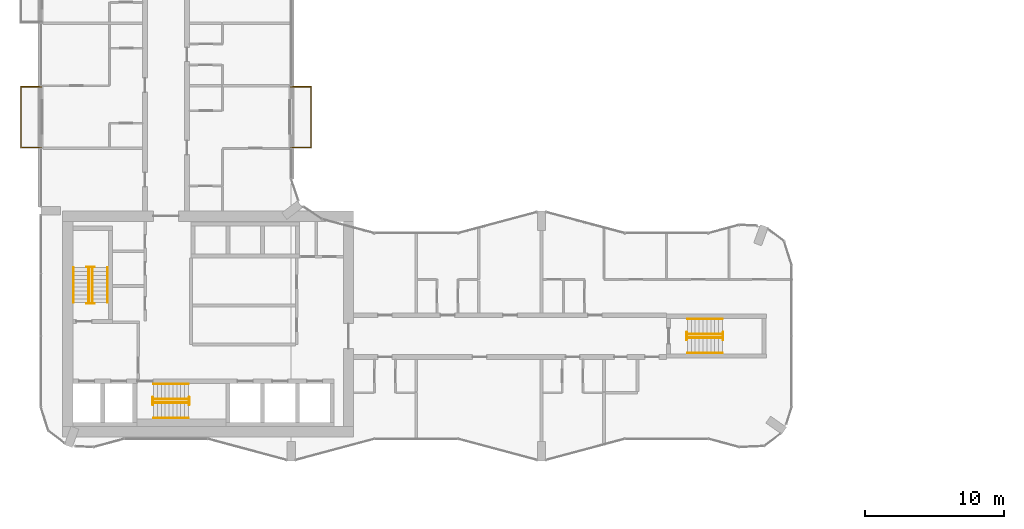
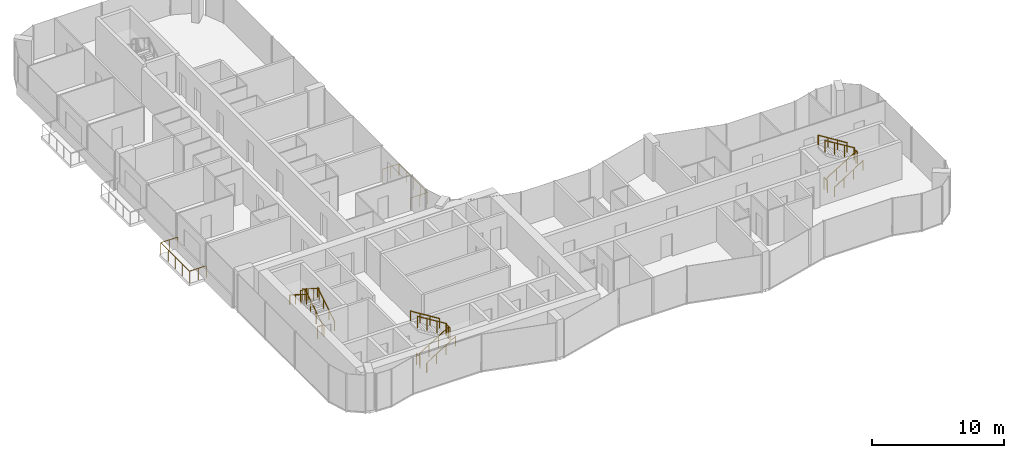
# One storey, part 20 of 22: 20 railings.
"""IFC4 building model written with IfcOpenShell, lengths in metres."""

import ifcopenshell
import ifcopenshell.guid

model = None  # the IFC model being written
_history = None  # IfcOwnerHistory: only IFC2X3 demands one
_inside = {}  # id of a spatial element -> (the spatial element, [elements in it])
_under = {}  # id of a project, library or spatial element -> (it, [spatial elements below it])
_declared = {}  # id of a project -> (the project, [libraries it declares])
_typed = {}  # id of a type object -> (the type object, [elements of that type])
_made_of = {}  # id of a material, layer set ... -> (it, [elements and type objects made of it])


def new_model(schema):
    """Start an empty IFC model of exactly this schema.

    Asked for "IFC4X3", IfcOpenShell would pick the latest addendum, in which some entities
    have other attributes; the version numbers below select the first issue.
    IFC2X3 requires an IfcOwnerHistory on every rooted entity: one is made here for all.
    """
    global model, _history
    if schema == "IFC4X3":
        model = ifcopenshell.file(schema_version=(4, 3, 0, 0))
    else:
        model = ifcopenshell.file(schema=schema)
    _inside.clear()
    _under.clear()
    _declared.clear()
    _typed.clear()
    _made_of.clear()
    _history = None
    if model.schema == "IFC2X3":
        org = make("IfcOrganization", Name="unknown")
        user = make(
            "IfcPersonAndOrganization",
            ThePerson=make("IfcPerson", FamilyName="unknown"),
            TheOrganization=org,
        )
        app = make(
            "IfcApplication",
            ApplicationDeveloper=org,
            Version="unknown",
            ApplicationFullName="unknown",
            ApplicationIdentifier="unknown",
        )
        _history = make(
            "IfcOwnerHistory",
            OwningUser=user,
            OwningApplication=app,
            ChangeAction="ADDED",
            CreationDate=0,
        )
    return model


def make(cls, **values):
    """One entity of the class cls with the attributes given. An attribute that is None is left unset."""
    return model.create_entity(
        cls, **{name: value for name, value in values.items() if value is not None}
    )


def rooted(cls, **values):
    """An entity with a GlobalId (a new one), such as an element, a storey or a relation."""
    return make(cls, GlobalId=ifcopenshell.guid.new(), OwnerHistory=_history, **values)


def si_unit(unit_type, name, prefix=None):
    """IfcSIUnit, for example si_unit("LENGTHUNIT", "METRE", prefix="MILLI")."""
    return make("IfcSIUnit", UnitType=unit_type, Prefix=prefix, Name=name)


def assignment(units):
    """IfcUnitAssignment: the units of a project."""
    return None if units is None else make("IfcUnitAssignment", Units=units)


def point(xyz):
    """IfcCartesianPoint."""
    return None if xyz is None else make("IfcCartesianPoint", Coordinates=xyz)


def direction(xyz):
    """IfcDirection."""
    return None if xyz is None else make("IfcDirection", DirectionRatios=xyz)


def frame(location, z_axis=None, x_axis=None):
    """IfcAxis2Placement3D, a coordinate frame: its origin and axes. An axis left out is left unset."""
    return make(
        "IfcAxis2Placement3D",
        Location=point(location),
        Axis=direction(z_axis),
        RefDirection=direction(x_axis),
    )


def frame_2d(location, x_axis=None):
    """IfcAxis2Placement2D, a coordinate frame in the plane: its origin and x axis."""
    return make(
        "IfcAxis2Placement2D", Location=point(location), RefDirection=direction(x_axis)
    )


def origin():
    """The frame at (0, 0, 0) with its axes left unset."""
    return frame((0.0, 0.0, 0.0))


def origin_2d():
    """The frame at (0, 0) in the plane with its x axis left unset."""
    return frame_2d((0.0, 0.0))


def place(relative_to, where):
    """IfcLocalPlacement: puts the frame where relative to a parent placement (None: the world)."""
    return make(
        "IfcLocalPlacement", PlacementRelTo=relative_to, RelativePlacement=where
    )


def context(
    kind, dimensions, precision=None, world=None, true_north=None, identifier=None
):
    """IfcGeometricRepresentationContext, for example the 3D "Model" context."""
    return make(
        "IfcGeometricRepresentationContext",
        ContextIdentifier=identifier,
        ContextType=kind,
        CoordinateSpaceDimension=dimensions,
        Precision=precision,
        WorldCoordinateSystem=world,
        TrueNorth=true_north,
    )


def subcontext(parent, identifier, kind, view, scale=None):
    """IfcGeometricRepresentationSubContext, for example "Body" below "Model"."""
    return make(
        "IfcGeometricRepresentationSubContext",
        ContextIdentifier=identifier,
        ContextType=kind,
        ParentContext=parent,
        TargetScale=scale,
        TargetView=view,
    )


def project(units=None, contexts=None):
    """IfcProject with its units and contexts."""
    return rooted(
        "IfcProject",
        Name="project",
        RepresentationContexts=contexts,
        UnitsInContext=assignment(units),
    )


def spatial(cls, under=None, at=None, **own):
    """A site, building, storey or space (cls), placed at a placement, below another one or the project."""
    s = rooted(cls, ObjectPlacement=at, **own)
    if under is not None:
        _under.setdefault(under.id(), (under, []))[1].append(s)
    return s


def profile(cls, at=None, kind="AREA", **sizes):
    """A parametric profile (cls). Its sizes go by their IFC names, for example OverallWidth=200.0."""
    return make(cls, ProfileType=kind, Position=at, **sizes)


def circle(**sizes):
    """IfcCircleProfileDef."""
    return profile("IfcCircleProfileDef", **sizes)


def extrude(swept, where, along, depth):
    """IfcExtrudedAreaSolid: the profile swept, set in the frame where, extruded along a direction by depth."""
    return make(
        "IfcExtrudedAreaSolid",
        SweptArea=swept,
        Position=where,
        ExtrudedDirection=direction(along),
        Depth=depth,
    )


def shape(context_of_items, identifier, shape_type, items):
    """IfcShapeRepresentation: the items that make up one representation, for example the "Body"."""
    return make(
        "IfcShapeRepresentation",
        ContextOfItems=context_of_items,
        RepresentationIdentifier=identifier,
        RepresentationType=shape_type,
        Items=items,
    )


def material(Name=None, Category=None):
    """IfcMaterial."""
    return make("IfcMaterial", Name=Name, Category=Category)


def made_of(thing, what):
    """Note that an element or type object is made of a material, layer set ...; save() writes the relation."""
    if what is not None:
        _made_of.setdefault(what.id(), (what, []))[1].append(thing)
    return thing


def type_object(cls, material=None, **own):
    """A type object (cls), such as IfcWallType, which elements share."""
    return made_of(rooted(cls, **own), material)


def element(
    cls,
    number,
    at=None,
    inside=None,
    cuts=None,
    type_object=None,
    material=None,
    context=None,
    identifier="Body",
    shape_type=None,
    held_by="IfcProductDefinitionShape",
    body=None,
    shapes=None,
    **own,
):
    """One element of the class cls, such as IfcWall. Its Tag is "e" and its number.

    at: its placement. inside: the storey or other place that contains it. cuts: it is an
    opening in that element (IfcRelVoidsElement). A single representation is given by context,
    identifier, shape_type and body (its items); several are given by shapes. held_by: the class
    of the entity that holds the representations. save() writes the other relations.
    """
    e = rooted(cls, Tag="e%d" % number, ObjectPlacement=at, **own)
    if body is not None:
        shapes = [shape(context, identifier, shape_type, body)]
    if shapes is not None:
        e.Representation = make(held_by, Representations=shapes)
    if inside is not None:
        _inside.setdefault(inside.id(), (inside, []))[1].append(e)
    if cuts is not None:
        rooted(
            "IfcRelVoidsElement", RelatingBuildingElement=cuts, RelatedOpeningElement=e
        )
    if type_object is not None:
        _typed.setdefault(type_object.id(), (type_object, []))[1].append(e)
    return made_of(e, material)


def aggregate(whole, parts):
    """IfcRelAggregates: a whole, such as a stair, and the parts it consists of."""
    return rooted("IfcRelAggregates", RelatingObject=whole, RelatedObjects=parts)


def save(model, path):
    """Write the relations noted so far, then the file.

    IfcRelAggregates (storeys below a building ...), IfcRelContainedInSpatialStructure (elements
    in a storey), IfcRelDefinesByType, IfcRelAssociatesMaterial and IfcRelDeclares: one each for
    every whole, place, type object, material and project.
    """
    for whole, parts in _under.values():
        aggregate(whole, parts)
    for where, things in _inside.values():
        rooted(
            "IfcRelContainedInSpatialStructure",
            RelatedElements=things,
            RelatingStructure=where,
        )
    for kind, things in _typed.values():
        rooted("IfcRelDefinesByType", RelatedObjects=things, RelatingType=kind)
    for what, things in _made_of.values():
        rooted("IfcRelAssociatesMaterial", RelatedObjects=things, RelatingMaterial=what)
    for by, libraries in _declared.values():
        rooted("IfcRelDeclares", RelatingContext=by, RelatedDefinitions=libraries)
    model.write(path)


model = new_model("IFC4")

# Units and contexts
model_context = context("Model", 3, precision=1e-05, world=origin(), true_north=direction((0.0, 1.0)))
body_context = subcontext(model_context, "Body", "Model", "MODEL_VIEW")
ifc_project = project(units=[si_unit("LENGTHUNIT", "METRE"), si_unit("AREAUNIT", "SQUARE_METRE"), si_unit("VOLUMEUNIT", "CUBIC_METRE"), si_unit("PLANEANGLEUNIT", "RADIAN"), si_unit("MASSUNIT", "GRAM", prefix="KILO")], contexts=[model_context])

# Site, building, storey
site_placement = place(None, origin())
site = spatial("IfcSite", under=ifc_project, at=site_placement, CompositionType="ELEMENT")
building_placement = place(site_placement, origin())
building = spatial("IfcBuilding", under=site, at=building_placement, Name="Plateau Cross Towers", CompositionType="ELEMENT")
storey_placement = place(building_placement, frame((0.0, 0.0, 58.300048828125)))
storey = spatial("IfcBuildingStorey", under=building, at=storey_placement, Name="L14", CompositionType="ELEMENT", Elevation=58.300048828125)

# Railings
ifc_material_1 = material(Name="Stainless steel and toughened glass", Category="steel")
railing_type_1 = type_object("IfcRailingType", Name="Glass balustrade guard 1100", PredefinedType="GUARDRAIL", material=ifc_material_1)
railing_1_placement = place(storey_placement, frame((0.050048828125, 22.570068359375, 0.0)))
element("IfcRailing", 1, at=railing_1_placement, inside=storey, type_object=railing_type_1, Name="Guard guard1", PredefinedType="GUARDRAIL", context=body_context, shape_type="SweptSolid", body=[
    extrude(circle(Radius=0.02392578125, at=origin_2d()), frame((0.0, 0.0, 1.076171875), z_axis=(-1.0, 0.0, 0.0), x_axis=(0.0, -1.0, 0.0)), (0.0, 0.0, 1.0), 1.47998046875),
    extrude(circle(Radius=0.02392578125, at=origin_2d()), frame((-1.47998046875, 0.0, 1.076171875), z_axis=(0.0, 1.0, 0.0), x_axis=(-1.0, 0.0, 0.0)), (0.0, 0.0, 1.0), 4.35986328125),
    extrude(circle(Radius=0.02392578125, at=origin_2d()), frame((-1.47998046875, 4.35986328125, 1.076171875), z_axis=(1.0, 0.0, 0.0), x_axis=(0.0, 1.0, 0.0)), (0.0, 0.0, 1.0), 1.47998046875),
    extrude(circle(Radius=0.02099609375, at=origin_2d()), origin(), (0.0, 0.0, 1.0), 1.052001953125),
    extrude(circle(Radius=0.02099609375, at=origin_2d()), frame((-0.739990234375, 0.0, 0.0)), (0.0, 0.0, 1.0), 1.052001953125),
    extrude(circle(Radius=0.02099609375, at=origin_2d()), frame((-1.47998046875, 0.0, 0.0)), (0.0, 0.0, 1.0), 1.052001953125),
    extrude(circle(Radius=0.02099609375, at=origin_2d()), frame((-1.47998046875, 1.08984375, 0.0)), (0.0, 0.0, 1.0), 1.052001953125),
    extrude(circle(Radius=0.02099609375, at=origin_2d()), frame((-1.47998046875, 2.179931640625, 0.0)), (0.0, 0.0, 1.0), 1.052001953125),
    extrude(circle(Radius=0.02099609375, at=origin_2d()), frame((-1.47998046875, 3.27001953125, 0.0)), (0.0, 0.0, 1.0), 1.052001953125),
    extrude(circle(Radius=0.02099609375, at=origin_2d()), frame((-1.47998046875, 4.35986328125, 0.0)), (0.0, 0.0, 1.0), 1.052001953125),
    extrude(circle(Radius=0.02099609375, at=origin_2d()), frame((-0.739990234375, 4.35986328125, 0.0)), (0.0, 0.0, 1.0), 1.052001953125),
    extrude(circle(Radius=0.02099609375, at=origin_2d()), frame((0.0, 4.35986328125, 0.0)), (0.0, 0.0, 1.0), 1.052001953125),
])
railing_2_placement = place(storey_placement, frame((17.949951171875, 26.929931640625, 0.0)))
element("IfcRailing", 2, at=railing_2_placement, inside=storey, type_object=railing_type_1, Name="Guard guard1", PredefinedType="GUARDRAIL", context=body_context, shape_type="SweptSolid", body=[
    extrude(circle(Radius=0.02392578125, at=origin_2d()), frame((0.0, 0.0, 1.076171875), z_axis=(1.0, 0.0, 0.0), x_axis=(0.0, 1.0, 0.0)), (0.0, 0.0, 1.0), 1.47998046875),
    extrude(circle(Radius=0.02392578125, at=origin_2d()), frame((1.47998046875, 0.0, 1.076171875), z_axis=(0.0, -1.0, 0.0), x_axis=(1.0, 0.0, 0.0)), (0.0, 0.0, 1.0), 4.35986328125),
    extrude(circle(Radius=0.02392578125, at=origin_2d()), frame((1.47998046875, -4.35986328125, 1.076171875), z_axis=(-1.0, 0.0, 0.0), x_axis=(0.0, -1.0, 0.0)), (0.0, 0.0, 1.0), 1.47998046875),
    extrude(circle(Radius=0.02099609375, at=origin_2d()), origin(), (0.0, 0.0, 1.0), 1.052001953125),
    extrude(circle(Radius=0.02099609375, at=origin_2d()), frame((0.739990234375, 0.0, 0.0)), (0.0, 0.0, 1.0), 1.052001953125),
    extrude(circle(Radius=0.02099609375, at=origin_2d()), frame((1.47998046875, 0.0, 0.0)), (0.0, 0.0, 1.0), 1.052001953125),
    extrude(circle(Radius=0.02099609375, at=origin_2d()), frame((1.47998046875, -1.08984375, 0.0)), (0.0, 0.0, 1.0), 1.052001953125),
    extrude(circle(Radius=0.02099609375, at=origin_2d()), frame((1.47998046875, -2.179931640625, 0.0)), (0.0, 0.0, 1.0), 1.052001953125),
    extrude(circle(Radius=0.02099609375, at=origin_2d()), frame((1.47998046875, -3.27001953125, 0.0)), (0.0, 0.0, 1.0), 1.052001953125),
    extrude(circle(Radius=0.02099609375, at=origin_2d()), frame((1.47998046875, -4.35986328125, 0.0)), (0.0, 0.0, 1.0), 1.052001953125),
    extrude(circle(Radius=0.02099609375, at=origin_2d()), frame((0.739990234375, -4.35986328125, 0.0)), (0.0, 0.0, 1.0), 1.052001953125),
    extrude(circle(Radius=0.02099609375, at=origin_2d()), frame((0.0, -4.35986328125, 0.0)), (0.0, 0.0, 1.0), 1.052001953125),
])
railing_type_2 = type_object("IfcRailingType", Name="RL-GUARD-1100", PredefinedType="GUARDRAIL", material=ifc_material_1)
railing_3_placement = place(storey_placement, frame((3.699951171875, 11.39990234375, 0.175048828125)))
element("IfcRailing", 3, at=railing_3_placement, inside=storey, type_object=railing_type_2, Name="L14 ST-1 stair guard 1", PredefinedType="GUARDRAIL", context=body_context, shape_type="SweptSolid", body=[
    extrude(circle(Radius=0.02392578125, at=origin_2d()), frame((0.0, 0.0, 1.076171875), z_axis=(0.0, 0.848007534815, 0.529984170421), x_axis=(-1.0, 0.0, 0.0)), (0.0, 0.0, 1.0), 2.9716796875),
    extrude(circle(Radius=0.02099609375, at=origin_2d()), origin(), (0.0, 0.0, 1.0), 1.052001953125),
    extrude(circle(Radius=0.02099609375, at=origin_2d()), frame((0.0, 0.840087890625, 0.52490234375)), (0.0, 0.0, 1.0), 1.052001953125),
    extrude(circle(Radius=0.02099609375, at=origin_2d()), frame((0.0, 1.679931640625, 1.050048828125)), (0.0, 0.0, 1.0), 1.052001953125),
    extrude(circle(Radius=0.02099609375, at=origin_2d()), frame((0.0, 2.52001953125, 1.574951171875)), (0.0, 0.0, 1.0), 1.052001953125),
])
railing_4_placement = place(storey_placement, frame((3.85009765625, 13.969970703125, 1.75)))
element("IfcRailing", 4, at=railing_4_placement, inside=storey, type_object=railing_type_2, Name="L14 ST-1 stair guard 2", PredefinedType="GUARDRAIL", context=body_context, shape_type="SweptSolid", body=[
    extrude(circle(Radius=0.02392578125, at=origin_2d()), frame((0.0, 0.0, 1.076171875), z_axis=(-1.0, 0.0, 0.0), x_axis=(0.0, -1.0, 0.0)), (0.0, 0.0, 1.0), 0.550048828125),
    extrude(circle(Radius=0.02099609375, at=origin_2d()), origin(), (0.0, 0.0, 1.0), 1.052001953125),
    extrude(circle(Radius=0.02099609375, at=origin_2d()), frame((-0.550048828125, 0.0, 0.0)), (0.0, 0.0, 1.0), 1.052001953125),
])
railing_5_placement = place(storey_placement, frame((3.449951171875, 13.919921875, 1.925048828125)))
element("IfcRailing", 5, at=railing_5_placement, inside=storey, type_object=railing_type_2, Name="L14 ST-1 stair guard 3", PredefinedType="GUARDRAIL", context=body_context, shape_type="SweptSolid", body=[
    extrude(circle(Radius=0.02392578125, at=origin_2d()), frame((0.0, 0.0, 1.076171875), z_axis=(0.0, -0.852616386126, 0.522537365276), x_axis=(1.0, 0.0, 0.0)), (0.0, 0.0, 1.0), 3.01416015625),
    extrude(circle(Radius=0.02099609375, at=origin_2d()), origin(), (0.0, 0.0, 1.0), 1.052001953125),
    extrude(circle(Radius=0.02099609375, at=origin_2d()), frame((0.0, -0.856689453125, 0.52490234375)), (0.0, 0.0, 1.0), 1.052001953125),
    extrude(circle(Radius=0.02099609375, at=origin_2d()), frame((0.0, -1.713134765625, 1.050048828125)), (0.0, 0.0, 1.0), 1.052001953125),
    extrude(circle(Radius=0.02099609375, at=origin_2d()), frame((0.0, -2.56982421875, 1.574951171875)), (0.0, 0.0, 1.0), 1.052001953125),
])
railing_6_placement = place(storey_placement, frame((3.85009765625, 11.35009765625, 0.0)))
element("IfcRailing", 6, at=railing_6_placement, inside=storey, type_object=railing_type_2, Name="L14 ST-1 stair guard 4", PredefinedType="GUARDRAIL", context=body_context, shape_type="SweptSolid", body=[
    extrude(circle(Radius=0.02392578125, at=origin_2d()), frame((0.0, 0.0, 1.076171875), z_axis=(-1.0, 0.0, 0.0), x_axis=(0.0, -1.0, 0.0)), (0.0, 0.0, 1.0), 0.550048828125),
    extrude(circle(Radius=0.02099609375, at=origin_2d()), origin(), (0.0, 0.0, 1.0), 1.052001953125),
    extrude(circle(Radius=0.02099609375, at=origin_2d()), frame((-0.550048828125, 0.0, 0.0)), (0.0, 0.0, 1.0), 1.052001953125),
])
railing_7_placement = place(storey_placement, frame((8.10009765625, 4.199951171875, 0.175048828125)))
element("IfcRailing", 7, at=railing_7_placement, inside=storey, type_object=railing_type_2, Name="L14 ST-2 stair guard 1", PredefinedType="GUARDRAIL", context=body_context, shape_type="SweptSolid", body=[
    extrude(circle(Radius=0.02392578125, at=origin_2d()), frame((0.0, 0.0, 1.076171875), z_axis=(0.848007534815, 0.0, 0.529984170421), x_axis=(0.0, 1.0, 0.0)), (0.0, 0.0, 1.0), 2.9716796875),
    extrude(circle(Radius=0.02099609375, at=origin_2d()), origin(), (0.0, 0.0, 1.0), 1.052001953125),
    extrude(circle(Radius=0.02099609375, at=origin_2d()), frame((0.840087890625, 0.0, 0.52490234375)), (0.0, 0.0, 1.0), 1.052001953125),
    extrude(circle(Radius=0.02099609375, at=origin_2d()), frame((1.679931640625, 0.0, 1.050048828125)), (0.0, 0.0, 1.0), 1.052001953125),
    extrude(circle(Radius=0.02099609375, at=origin_2d()), frame((2.52001953125, 0.0, 1.574951171875)), (0.0, 0.0, 1.0), 1.052001953125),
])
railing_8_placement = place(storey_placement, frame((10.669921875, 4.050048828125, 1.75)))
element("IfcRailing", 8, at=railing_8_placement, inside=storey, type_object=railing_type_2, Name="L14 ST-2 stair guard 2", PredefinedType="GUARDRAIL", context=body_context, shape_type="SweptSolid", body=[
    extrude(circle(Radius=0.02392578125, at=origin_2d()), frame((0.0, 0.0, 1.076171875), z_axis=(0.0, 1.0, 0.0), x_axis=(-1.0, 0.0, 0.0)), (0.0, 0.0, 1.0), 0.550048828125),
    extrude(circle(Radius=0.02099609375, at=origin_2d()), origin(), (0.0, 0.0, 1.0), 1.052001953125),
    extrude(circle(Radius=0.02099609375, at=origin_2d()), frame((0.0, 0.550048828125, 0.0)), (0.0, 0.0, 1.0), 1.052001953125),
])
railing_9_placement = place(storey_placement, frame((10.6201171875, 4.449951171875, 1.925048828125)))
element("IfcRailing", 9, at=railing_9_placement, inside=storey, type_object=railing_type_2, Name="L14 ST-2 stair guard 3", PredefinedType="GUARDRAIL", context=body_context, shape_type="SweptSolid", body=[
    extrude(circle(Radius=0.02392578125, at=origin_2d()), frame((0.0, 0.0, 1.076171875), z_axis=(-0.852638500773, 0.0, 0.522501279423), x_axis=(0.0, -1.0, 0.0)), (0.0, 0.0, 1.0), 3.01416015625),
    extrude(circle(Radius=0.02099609375, at=origin_2d()), origin(), (0.0, 0.0, 1.0), 1.052001953125),
    extrude(circle(Radius=0.02099609375, at=origin_2d()), frame((-0.856689453125, 0.0, 0.52490234375)), (0.0, 0.0, 1.0), 1.052001953125),
    extrude(circle(Radius=0.02099609375, at=origin_2d()), frame((-1.71337890625, 0.0, 1.050048828125)), (0.0, 0.0, 1.0), 1.052001953125),
    extrude(circle(Radius=0.02099609375, at=origin_2d()), frame((-2.570068359375, 0.0, 1.574951171875)), (0.0, 0.0, 1.0), 1.052001953125),
])
railing_10_placement = place(storey_placement, frame((8.050048828125, 4.050048828125, 0.0)))
element("IfcRailing", 10, at=railing_10_placement, inside=storey, type_object=railing_type_2, Name="L14 ST-2 stair guard 4", PredefinedType="GUARDRAIL", context=body_context, shape_type="SweptSolid", body=[
    extrude(circle(Radius=0.02392578125, at=origin_2d()), frame((0.0, 0.0, 1.076171875), z_axis=(0.0, 1.0, 0.0), x_axis=(-1.0, 0.0, 0.0)), (0.0, 0.0, 1.0), 0.550048828125),
    extrude(circle(Radius=0.02099609375, at=origin_2d()), origin(), (0.0, 0.0, 1.0), 1.052001953125),
    extrude(circle(Radius=0.02099609375, at=origin_2d()), frame((0.0, 0.550048828125, 0.0)), (0.0, 0.0, 1.0), 1.052001953125),
])
railing_11_placement = place(storey_placement, frame((46.5, 8.875, 0.175048828125)))
element("IfcRailing", 11, at=railing_11_placement, inside=storey, type_object=railing_type_2, Name="L14 ES-E stair guard 1", PredefinedType="GUARDRAIL", context=body_context, shape_type="SweptSolid", body=[
    extrude(circle(Radius=0.02392578125, at=origin_2d()), frame((0.0, 0.0, 1.076171875), z_axis=(0.848007534815, 0.0, 0.529984170421), x_axis=(0.0, 1.0, 0.0)), (0.0, 0.0, 1.0), 2.9716796875),
    extrude(circle(Radius=0.02099609375, at=origin_2d()), origin(), (0.0, 0.0, 1.0), 1.052001953125),
    extrude(circle(Radius=0.02099609375, at=origin_2d()), frame((0.840087890625, 0.0, 0.52490234375)), (0.0, 0.0, 1.0), 1.052001953125),
    extrude(circle(Radius=0.02099609375, at=origin_2d()), frame((1.679931640625, 0.0, 1.050048828125)), (0.0, 0.0, 1.0), 1.052001953125),
    extrude(circle(Radius=0.02099609375, at=origin_2d()), frame((2.52001953125, 0.0, 1.574951171875)), (0.0, 0.0, 1.0), 1.052001953125),
])
railing_12_placement = place(storey_placement, frame((49.070068359375, 8.72509765625, 1.75)))
element("IfcRailing", 12, at=railing_12_placement, inside=storey, type_object=railing_type_2, Name="L14 ES-E stair guard 2", PredefinedType="GUARDRAIL", context=body_context, shape_type="SweptSolid", body=[
    extrude(circle(Radius=0.02392578125, at=origin_2d()), frame((0.0, 0.0, 1.076171875), z_axis=(0.0, 1.0, 0.0), x_axis=(-1.0, 0.0, 0.0)), (0.0, 0.0, 1.0), 0.5498046875),
    extrude(circle(Radius=0.02099609375, at=origin_2d()), origin(), (0.0, 0.0, 1.0), 1.052001953125),
    extrude(circle(Radius=0.02099609375, at=origin_2d()), frame((0.0, 0.5498046875, 0.0)), (0.0, 0.0, 1.0), 1.052001953125),
])
railing_13_placement = place(storey_placement, frame((49.02001953125, 9.125, 1.925048828125)))
element("IfcRailing", 13, at=railing_13_placement, inside=storey, type_object=railing_type_2, Name="L14 ES-E stair guard 3", PredefinedType="GUARDRAIL", context=body_context, shape_type="SweptSolid", body=[
    extrude(circle(Radius=0.02392578125, at=origin_2d()), frame((0.0, 0.0, 1.076171875), z_axis=(-0.852638500773, 0.0, 0.522501279423), x_axis=(0.0, -1.0, 0.0)), (0.0, 0.0, 1.0), 3.01416015625),
    extrude(circle(Radius=0.02099609375, at=origin_2d()), origin(), (0.0, 0.0, 1.0), 1.052001953125),
    extrude(circle(Radius=0.02099609375, at=origin_2d()), frame((-0.856689453125, 0.0, 0.52490234375)), (0.0, 0.0, 1.0), 1.052001953125),
    extrude(circle(Radius=0.02099609375, at=origin_2d()), frame((-1.71337890625, 0.0, 1.050048828125)), (0.0, 0.0, 1.0), 1.052001953125),
    extrude(circle(Radius=0.02099609375, at=origin_2d()), frame((-2.570068359375, 0.0, 1.574951171875)), (0.0, 0.0, 1.0), 1.052001953125),
])
railing_14_placement = place(storey_placement, frame((46.449951171875, 8.72509765625, 0.0)))
element("IfcRailing", 14, at=railing_14_placement, inside=storey, type_object=railing_type_2, Name="L14 ES-E stair guard 4", PredefinedType="GUARDRAIL", context=body_context, shape_type="SweptSolid", body=[
    extrude(circle(Radius=0.02392578125, at=origin_2d()), frame((0.0, 0.0, 1.076171875), z_axis=(0.0, 1.0, 0.0), x_axis=(-1.0, 0.0, 0.0)), (0.0, 0.0, 1.0), 0.5498046875),
    extrude(circle(Radius=0.02099609375, at=origin_2d()), origin(), (0.0, 0.0, 1.0), 1.052001953125),
    extrude(circle(Radius=0.02099609375, at=origin_2d()), frame((0.0, 0.5498046875, 0.0)), (0.0, 0.0, 1.0), 1.052001953125),
])
ifc_material_2 = material(Name="Black anodised aluminium", Category="aluminium")
railing_type_3 = type_object("IfcRailingType", Name="RL-HANDRAIL-900", PredefinedType="HANDRAIL", material=ifc_material_2)
railing_15_placement = place(storey_placement, frame((4.800048828125, 11.39990234375, 0.175048828125)))
element("IfcRailing", 15, at=railing_15_placement, inside=storey, type_object=railing_type_3, Name="L14 ST-1 stair handrail 1", PredefinedType="HANDRAIL", context=body_context, shape_type="SweptSolid", body=[
    extrude(circle(Radius=0.02392578125, at=origin_2d()), frame((0.0, 0.0, 0.8759765625), z_axis=(0.0, 0.848007534815, 0.529984170421), x_axis=(-1.0, 0.0, 0.0)), (0.0, 0.0, 1.0), 2.9716796875),
    extrude(circle(Radius=0.02099609375, at=origin_2d()), origin(), (0.0, 0.0, 1.0), 0.851806640625),
    extrude(circle(Radius=0.02099609375, at=origin_2d()), frame((0.0, 0.840087890625, 0.52490234375)), (0.0, 0.0, 1.0), 0.851806640625),
    extrude(circle(Radius=0.02099609375, at=origin_2d()), frame((0.0, 1.679931640625, 1.050048828125)), (0.0, 0.0, 1.0), 0.851806640625),
    extrude(circle(Radius=0.02099609375, at=origin_2d()), frame((0.0, 2.52001953125, 1.574951171875)), (0.0, 0.0, 1.0), 0.851806640625),
])
railing_16_placement = place(storey_placement, frame((2.35009765625, 13.919921875, 1.925048828125)))
element("IfcRailing", 16, at=railing_16_placement, inside=storey, type_object=railing_type_3, Name="L14 ST-1 stair handrail 2", PredefinedType="HANDRAIL", context=body_context, shape_type="SweptSolid", body=[
    extrude(circle(Radius=0.02392578125, at=origin_2d()), frame((0.0, 0.0, 0.8759765625), z_axis=(0.0, -0.848007534815, 0.529984170421), x_axis=(1.0, 0.0, 0.0)), (0.0, 0.0, 1.0), 2.9716796875),
    extrude(circle(Radius=0.02099609375, at=origin_2d()), origin(), (0.0, 0.0, 1.0), 0.851806640625),
    extrude(circle(Radius=0.02099609375, at=origin_2d()), frame((0.0, -0.840087890625, 0.52490234375)), (0.0, 0.0, 1.0), 0.851806640625),
    extrude(circle(Radius=0.02099609375, at=origin_2d()), frame((0.0, -1.679931640625, 1.050048828125)), (0.0, 0.0, 1.0), 0.851806640625),
    extrude(circle(Radius=0.02099609375, at=origin_2d()), frame((0.0, -2.52001953125, 1.574951171875)), (0.0, 0.0, 1.0), 0.851806640625),
])
railing_17_placement = place(storey_placement, frame((8.10009765625, 3.10009765625, 0.175048828125)))
element("IfcRailing", 17, at=railing_17_placement, inside=storey, type_object=railing_type_3, Name="L14 ST-2 stair handrail 1", PredefinedType="HANDRAIL", context=body_context, shape_type="SweptSolid", body=[
    extrude(circle(Radius=0.02392578125, at=origin_2d()), frame((0.0, 0.0, 0.8759765625), z_axis=(0.848007534815, 0.0, 0.529984170421), x_axis=(0.0, 1.0, 0.0)), (0.0, 0.0, 1.0), 2.9716796875),
    extrude(circle(Radius=0.02099609375, at=origin_2d()), origin(), (0.0, 0.0, 1.0), 0.851806640625),
    extrude(circle(Radius=0.02099609375, at=origin_2d()), frame((0.840087890625, 0.0, 0.52490234375)), (0.0, 0.0, 1.0), 0.851806640625),
    extrude(circle(Radius=0.02099609375, at=origin_2d()), frame((1.679931640625, 0.0, 1.050048828125)), (0.0, 0.0, 1.0), 0.851806640625),
    extrude(circle(Radius=0.02099609375, at=origin_2d()), frame((2.52001953125, 0.0, 1.574951171875)), (0.0, 0.0, 1.0), 0.851806640625),
])
railing_18_placement = place(storey_placement, frame((10.6201171875, 5.550048828125, 1.925048828125)))
element("IfcRailing", 18, at=railing_18_placement, inside=storey, type_object=railing_type_3, Name="L14 ST-2 stair handrail 2", PredefinedType="HANDRAIL", context=body_context, shape_type="SweptSolid", body=[
    extrude(circle(Radius=0.02392578125, at=origin_2d()), frame((0.0, 0.0, 0.8759765625), z_axis=(-0.848007534815, 0.0, 0.529984170421), x_axis=(0.0, -1.0, 0.0)), (0.0, 0.0, 1.0), 2.9716796875),
    extrude(circle(Radius=0.02099609375, at=origin_2d()), origin(), (0.0, 0.0, 1.0), 0.851806640625),
    extrude(circle(Radius=0.02099609375, at=origin_2d()), frame((-0.840087890625, 0.0, 0.52490234375)), (0.0, 0.0, 1.0), 0.851806640625),
    extrude(circle(Radius=0.02099609375, at=origin_2d()), frame((-1.679931640625, 0.0, 1.050048828125)), (0.0, 0.0, 1.0), 0.851806640625),
    extrude(circle(Radius=0.02099609375, at=origin_2d()), frame((-2.52001953125, 0.0, 1.574951171875)), (0.0, 0.0, 1.0), 0.851806640625),
])
railing_19_placement = place(storey_placement, frame((46.5, 7.77490234375, 0.175048828125)))
element("IfcRailing", 19, at=railing_19_placement, inside=storey, type_object=railing_type_3, Name="L14 ES-E stair handrail 1", PredefinedType="HANDRAIL", context=body_context, shape_type="SweptSolid", body=[
    extrude(circle(Radius=0.02392578125, at=origin_2d()), frame((0.0, 0.0, 0.8759765625), z_axis=(0.848007534815, 0.0, 0.529984170421), x_axis=(0.0, 1.0, 0.0)), (0.0, 0.0, 1.0), 2.9716796875),
    extrude(circle(Radius=0.02099609375, at=origin_2d()), origin(), (0.0, 0.0, 1.0), 0.851806640625),
    extrude(circle(Radius=0.02099609375, at=origin_2d()), frame((0.840087890625, 0.0, 0.52490234375)), (0.0, 0.0, 1.0), 0.851806640625),
    extrude(circle(Radius=0.02099609375, at=origin_2d()), frame((1.679931640625, 0.0, 1.050048828125)), (0.0, 0.0, 1.0), 0.851806640625),
    extrude(circle(Radius=0.02099609375, at=origin_2d()), frame((2.52001953125, 0.0, 1.574951171875)), (0.0, 0.0, 1.0), 0.851806640625),
])
railing_20_placement = place(storey_placement, frame((49.02001953125, 10.22509765625, 1.925048828125)))
element("IfcRailing", 20, at=railing_20_placement, inside=storey, type_object=railing_type_3, Name="L14 ES-E stair handrail 2", PredefinedType="HANDRAIL", context=body_context, shape_type="SweptSolid", body=[
    extrude(circle(Radius=0.02392578125, at=origin_2d()), frame((0.0, 0.0, 0.8759765625), z_axis=(-0.848007534815, 0.0, 0.529984170421), x_axis=(0.0, -1.0, 0.0)), (0.0, 0.0, 1.0), 2.9716796875),
    extrude(circle(Radius=0.02099609375, at=origin_2d()), origin(), (0.0, 0.0, 1.0), 0.851806640625),
    extrude(circle(Radius=0.02099609375, at=origin_2d()), frame((-0.840087890625, 0.0, 0.52490234375)), (0.0, 0.0, 1.0), 0.851806640625),
    extrude(circle(Radius=0.02099609375, at=origin_2d()), frame((-1.679931640625, 0.0, 1.050048828125)), (0.0, 0.0, 1.0), 0.851806640625),
    extrude(circle(Radius=0.02099609375, at=origin_2d()), frame((-2.52001953125, 0.0, 1.574951171875)), (0.0, 0.0, 1.0), 0.851806640625),
])

save(model, "model.ifc")
